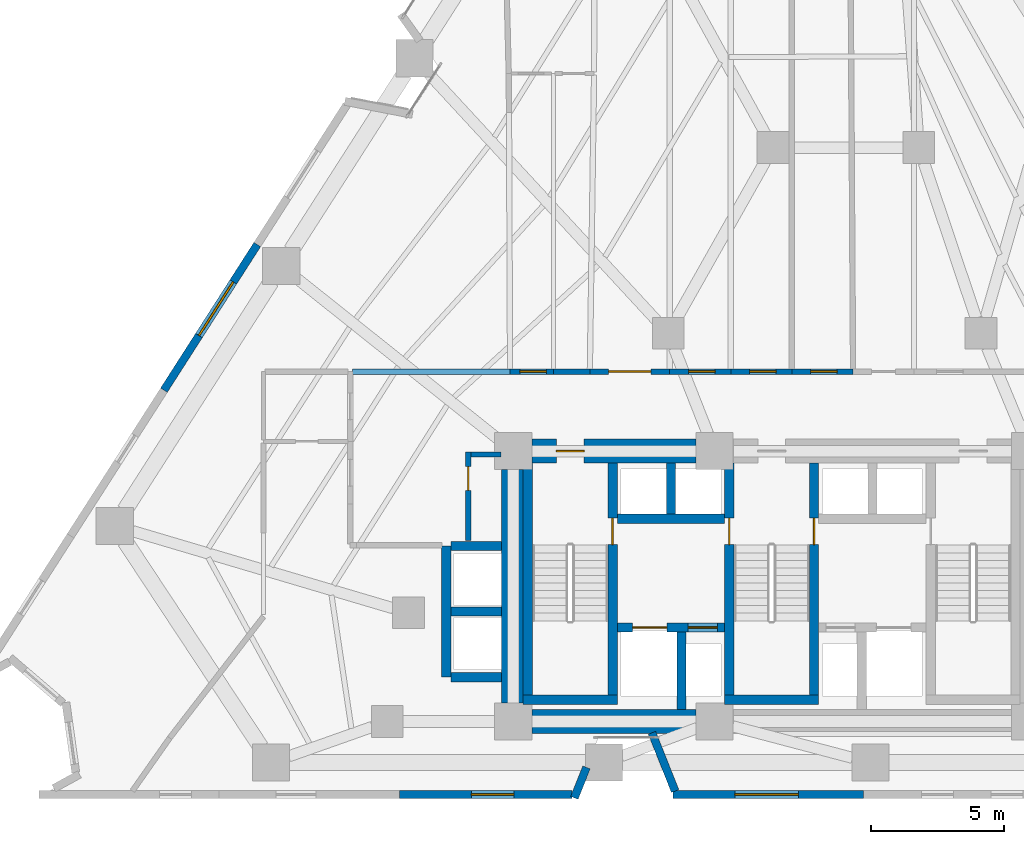
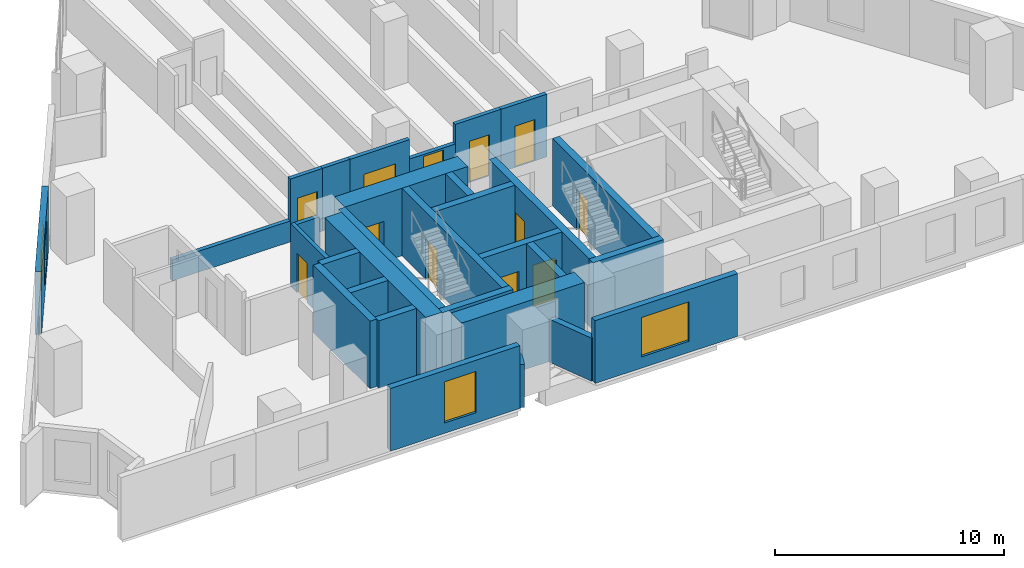
# One storey, part 8 of 13: 31 walls, 12 doors, 3 windows, 15 openings.
"""IFC4 building model written with IfcOpenShell, lengths in metres."""

from ifc_helpers import new_model, si_unit, direction, frame, frame_2d, origin, place, context, subcontext, project, spatial, rectangle, extrude, material, layer, layer_set, type_object, element, fill, save


model = new_model("IFC4")

# Units and contexts
model_context = context("Model", 3, precision=1e-05, world=origin(), true_north=direction((0.0, 1.0)))
body_context = subcontext(model_context, "Body", "Model", "MODEL_VIEW")
ifc_project = project(units=[si_unit("LENGTHUNIT", "METRE"), si_unit("AREAUNIT", "SQUARE_METRE"), si_unit("VOLUMEUNIT", "CUBIC_METRE"), si_unit("PLANEANGLEUNIT", "RADIAN"), si_unit("MASSUNIT", "GRAM", prefix="KILO")], contexts=[model_context])

# Site, building, storey
site_placement = place(None, origin())
site = spatial("IfcSite", under=ifc_project, at=site_placement, CompositionType="ELEMENT")
building_placement = place(site_placement, origin())
building = spatial("IfcBuilding", under=site, at=building_placement, Name="Almagre Mirador Tower", CompositionType="ELEMENT")
storey_placement = place(building_placement, frame((0.0, 0.0, 49.800048828125)))
storey = spatial("IfcBuildingStorey", under=building, at=storey_placement, Name="L11", CompositionType="ELEMENT", Elevation=49.800048828125)

# Wall, opening, window
ifc_material_1 = material(Name="Precast concrete C50/60", Category="concrete")
ifc_layer_1 = layer(ifc_material_1, 0.300048828125)
ifc_layer_set_1 = layer_set([ifc_layer_1], Name="Precast concrete C50/60")
wall_type_1 = type_object("IfcWallType", Name="WAL-EXT-300", PredefinedType="SOLIDWALL", material=ifc_layer_set_1)
wall_1_placement = place(storey_placement, frame((40.760986328125, 1.800048828125, 0.0), z_axis=(0.0, 0.0, 1.0), x_axis=(-1.0, 0.0, 0.0)))
wall_1 = element("IfcWall", 1, at=wall_1_placement, inside=storey, type_object=wall_type_1, Name="L11 expressed almagre precast frame wall 25", PredefinedType="SOLIDWALL", context=body_context, shape_type="SweptSolid", body=[
    extrude(rectangle(XDim=7.19287109375, YDim=0.300048828125, at=frame_2d((3.596435546875, 0.0))), origin(), (0.0, 0.0, 1.0), 3.349853515625),
])
opening_1_placement = place(wall_1_placement, frame((2.449951171875, 0.0, 0.60009765625)))
opening_1 = element("IfcOpeningElement", 2, at=opening_1_placement, cuts=wall_1, Name="Opening WN-02", PredefinedType="OPENING", context=body_context, shape_type="SweptSolid", body=[
    extrude(rectangle(XDim=2.39990234375, YDim=2.10009765625, at=frame_2d((1.199951171875, 1.050048828125))), frame((0.0, 0.159902, 0.0), z_axis=(0.0, -1.0, 0.0), x_axis=(1.0, 0.0, 0.0)), (0.0, 0.0, 1.0), 0.320049),
])
ifc_material_2 = material(Name="Dark solar-control laminated hurricane glass", Category="glass")
window_type_1 = type_object("IfcWindowType", Name="WIN-2400X2100", PartitioningType="TRIPLE_PANEL_VERTICAL", PredefinedType="WINDOW", material=ifc_material_2)
window_1_placement = place(opening_1_placement, origin())
window_1 = element("IfcWindow", 3, at=window_1_placement, inside=storey, type_object=window_type_1, Name="L11 recessed hurricane window L11-UC-ST", OverallHeight=2.10009765625, OverallWidth=2.39990234375, PartitioningType="SINGLE_PANEL", PredefinedType="WINDOW", context=body_context, shape_type="SweptSolid", body=[
    extrude(rectangle(XDim=2.39990234375, YDim=2.10009765625, at=frame_2d((1.199951171875, 1.050048828125))), frame((0.0, 0.030029296875, 0.0), z_axis=(0.0, -1.0, 0.0), x_axis=(1.0, 0.0, 0.0)), (0.0, 0.0, 1.0), 0.06005859375),
])
fill(opening_1, window_1)

# Walls
wall_2_placement = place(storey_placement, frame((33.658203125, 1.92529296875, 0.0), z_axis=(0.0, 0.0, 1.0), x_axis=(-0.36946923074, 0.92924296475, 0.0)))
element("IfcWall", 4, at=wall_2_placement, inside=storey, type_object=wall_type_1, Name="L11 expressed almagre precast frame wall 26", PredefinedType="SOLIDWALL", context=body_context, shape_type="SweptSolid", body=[
    extrude(rectangle(XDim=2.366943359375, YDim=0.300048828125, at=frame_2d((1.18359375, 0.0))), origin(), (0.0, 0.0, 1.0), 2.300048828125),
])
wall_3_placement = place(storey_placement, frame((30.31396484375, 2.82080078125, 0.0), z_axis=(0.0, 0.0, 1.0), x_axis=(-0.369588763291, -0.929195429417, 0.0)))
element("IfcWall", 5, at=wall_3_placement, inside=storey, type_object=wall_type_1, Name="L11 expressed almagre precast frame wall 27", PredefinedType="SOLIDWALL", context=body_context, shape_type="SweptSolid", body=[
    extrude(rectangle(XDim=1.238525390625, YDim=0.300048828125, at=frame_2d((0.619140625, 0.0))), origin(), (0.0, 0.0, 1.0), 2.300048828125),
])

# Wall, opening, window
wall_4_placement = place(storey_placement, frame((29.76806640625, 1.800048828125, 0.0), z_axis=(0.0, 0.0, 1.0), x_axis=(-1.0, 0.0, 0.0)))
wall_4 = element("IfcWall", 6, at=wall_4_placement, inside=storey, type_object=wall_type_1, Name="L11 expressed almagre precast frame wall 28", PredefinedType="SOLIDWALL", context=body_context, shape_type="SweptSolid", body=[
    extrude(rectangle(XDim=6.51611328125, YDim=0.300048828125, at=frame_2d((3.258056640625, 0.0))), origin(), (0.0, 0.0, 1.0), 3.349853515625),
])
opening_2_placement = place(wall_4_placement, frame((2.195068359375, 0.0, 0.550048828125)))
opening_2 = element("IfcOpeningElement", 7, at=opening_2_placement, cuts=wall_4, Name="Opening WN-06", PredefinedType="OPENING", context=body_context, shape_type="SweptSolid", body=[
    extrude(rectangle(XDim=1.60009765625, YDim=2.199951171875, at=frame_2d((0.800048828125, 1.10009765625))), frame((0.0, 0.159902, 0.0), z_axis=(0.0, -1.0, 0.0), x_axis=(1.0, 0.0, 0.0)), (0.0, 0.0, 1.0), 0.320049),
])
ifc_material_3 = material(Name="Dark solar-control laminated hurricane glass", Category="glass")
window_type_2 = type_object("IfcWindowType", Name="WIN-1600X2200", PartitioningType="DOUBLE_PANEL_VERTICAL", PredefinedType="WINDOW", material=ifc_material_3)
window_2_placement = place(opening_2_placement, origin())
window_2 = element("IfcWindow", 8, at=window_2_placement, inside=storey, type_object=window_type_2, Name="L11 recessed hurricane window L11-UB-KT", OverallHeight=2.199951171875, OverallWidth=1.60009765625, PartitioningType="SINGLE_PANEL", PredefinedType="WINDOW", context=body_context, shape_type="SweptSolid", body=[
    extrude(rectangle(XDim=1.60009765625, YDim=2.199951171875, at=frame_2d((0.800048828125, 1.10009765625))), frame((0.0, 0.030029296875, 0.0), z_axis=(0.0, -1.0, 0.0), x_axis=(1.0, 0.0, 0.0)), (0.0, 0.0, 1.0), 0.06005859375),
])
fill(opening_2, window_2)

wall_5_placement = place(storey_placement, frame((14.3720703125, 17.049072265625, 0.0), z_axis=(0.0, 0.0, 1.0), x_axis=(0.539499522652, 0.841985905498, 0.0)))
wall_5 = element("IfcWall", 9, at=wall_5_placement, inside=storey, type_object=wall_type_1, Name="L11 expressed almagre precast frame wall 37", PredefinedType="SOLIDWALL", context=body_context, shape_type="SweptSolid", body=[
    extrude(rectangle(XDim=6.525390625, YDim=0.300048828125, at=frame_2d((3.2626953125, 0.0))), origin(), (0.0, 0.0, 1.0), 3.349853515625),
])
opening_3_placement = place(wall_5_placement, frame((2.449951171875, 0.0, 0.60009765625)))
opening_3 = element("IfcOpeningElement", 10, at=opening_3_placement, cuts=wall_5, Name="Opening WN-02", PredefinedType="OPENING", context=body_context, shape_type="SweptSolid", body=[
    extrude(rectangle(XDim=2.39990234375, YDim=2.10009765625, at=frame_2d((1.199951171875, 1.050048828125))), frame((0.0, 0.159902, 0.0), z_axis=(0.0, -1.0, 0.0), x_axis=(1.0, 0.0, 0.0)), (0.0, 0.0, 1.0), 0.320049),
])
window_3_placement = place(opening_3_placement, origin())
window_3 = element("IfcWindow", 11, at=window_3_placement, inside=storey, type_object=window_type_1, Name="L11 recessed hurricane window L11-RST-H", OverallHeight=2.10009765625, OverallWidth=2.39990234375, PartitioningType="SINGLE_PANEL", PredefinedType="WINDOW", context=body_context, shape_type="SweptSolid", body=[
    extrude(rectangle(XDim=2.39990234375, YDim=2.10009765625, at=frame_2d((1.199951171875, 1.050048828125))), frame((0.0, 0.030029296875, 0.0), z_axis=(0.0, -1.0, 0.0), x_axis=(1.0, 0.0, 0.0)), (0.0, 0.0, 1.0), 0.06005859375),
])
fill(opening_3, window_3)

# Wall, opening, door
ifc_material_4 = material(Name="Gypsum acoustic stud partition", Category="other")
ifc_layer_2 = layer(ifc_material_4, 0.199951171875)
ifc_layer_set_2 = layer_set([ifc_layer_2], Name="Gypsum acoustic stud partition")
wall_type_2 = type_object("IfcWallType", Name="WAL-PRT-200-EI60", PredefinedType="PARTITIONING", material=ifc_layer_set_2)
wall_6_placement = place(storey_placement, frame((25.85009765625, 11.3701171875, 0.0), z_axis=(0.0, 0.0, 1.0), x_axis=(0.0, 1.0, 0.0)))
wall_6 = element("IfcWall", 12, at=wall_6_placement, inside=storey, type_object=wall_type_2, Name="L11 core ancillary west wall", PredefinedType="PARTITIONING", context=body_context, shape_type="SweptSolid", body=[
    extrude(rectangle(XDim=3.33984375, YDim=0.199951171875, at=frame_2d((1.669921875, 0.0))), origin(), (0.0, 0.0, 1.0), 3.349853515625),
])
opening_4_placement = place(wall_6_placement, frame((1.89990234375, 0.0, 0.0)))
opening_4 = element("IfcOpeningElement", 13, at=opening_4_placement, cuts=wall_6, Name="Opening ID-03", PredefinedType="OPENING", context=body_context, shape_type="SweptSolid", body=[
    extrude(rectangle(XDim=0.89990234375, YDim=2.10009765625, at=frame_2d((0.449951171875, 1.050048828125))), frame((0.0, 0.110098, 0.0), z_axis=(0.0, -1.0, 0.0), x_axis=(1.0, 0.0, 0.0)), (0.0, 0.0, 1.0), 0.219951),
])
ifc_material_5 = material(Name="Fire-rated hollow steel", Category="steel")
door_type_1 = type_object("IfcDoorType", Name="DOR-FD60-900X2100", OperationType="NOTDEFINED", PredefinedType="DOOR", material=ifc_material_5)
door_1_placement = place(opening_4_placement, origin())
door_1 = element("IfcDoor", 14, at=door_1_placement, inside=storey, type_object=door_type_1, Name="DR-0345 L11 core ancillary corridor door", OperationType="SINGLE_SWING_LEFT", OverallHeight=2.10009765625, OverallWidth=0.89990234375, PredefinedType="DOOR", context=body_context, shape_type="SweptSolid", body=[
    extrude(rectangle(XDim=0.89990234375, YDim=2.10009765625, at=frame_2d((0.449951171875, 1.050048828125))), frame((0.0, 0.02490234375, 0.0), z_axis=(0.0, -1.0, 0.0), x_axis=(1.0, 0.0, 0.0)), (0.0, 0.0, 1.0), 0.050048828125),
])
fill(opening_4, door_1)

# Walls
wall_7_placement = place(storey_placement, frame((25.955078125, 14.6201171875, 0.0), z_axis=(0.0, 0.0, 1.0), x_axis=(1.0, 0.0, 0.0)))
element("IfcWall", 15, at=wall_7_placement, inside=storey, type_object=wall_type_2, Name="L11 core ancillary north wall", PredefinedType="PARTITIONING", context=body_context, shape_type="SweptSolid", body=[
    extrude(rectangle(XDim=1.1298828125, YDim=0.199951171875, at=frame_2d((0.56494140625, 0.0))), origin(), (0.0, 0.0, 1.0), 3.349853515625),
])
wall_8_placement = place(storey_placement, frame((27.429931640625, 17.75, 0.0), z_axis=(0.0, 0.0, 1.0), x_axis=(-1.0, 0.0, 0.0)))
element("IfcWall", 16, at=wall_8_placement, inside=storey, type_object=wall_type_2, Name="L11 interior partition 008", PredefinedType="PARTITIONING", context=body_context, shape_type="SweptSolid", body=[
    extrude(rectangle(XDim=5.94482421875, YDim=0.199951171875, at=frame_2d((2.972412109375, 0.0))), origin(), (0.0, 0.0, 1.0), 1.119873046875),
])

# Wall, opening, door
wall_9_placement = place(storey_placement, frame((29.06005859375, 17.75, 0.0), z_axis=(0.0, 0.0, 1.0), x_axis=(-1.0, 0.0, 0.0)))
wall_9 = element("IfcWall", 17, at=wall_9_placement, inside=storey, type_object=wall_type_2, Name="L11 interior partition 011", PredefinedType="PARTITIONING", context=body_context, shape_type="SweptSolid", body=[
    extrude(rectangle(XDim=1.630126953125, YDim=0.199951171875, at=frame_2d((0.81494140625, 0.0))), origin(), (0.0, 0.0, 1.0), 3.349853515625),
])
opening_5_placement = place(wall_9_placement, frame((0.256591796875, 0.0, 0.0)))
opening_5 = element("IfcOpeningElement", 18, at=opening_5_placement, cuts=wall_9, Name="Opening ID-01", PredefinedType="OPENING", context=body_context, shape_type="SweptSolid", body=[
    extrude(rectangle(XDim=1.0, YDim=2.199951171875, at=frame_2d((0.5, 1.10009765625))), frame((0.0, 0.110098, 0.0), z_axis=(0.0, -1.0, 0.0), x_axis=(1.0, 0.0, 0.0)), (0.0, 0.0, 1.0), 0.219951),
])
ifc_material_6 = material(Name="Fire-rated walnut timber", Category="wood")
door_type_2 = type_object("IfcDoorType", Name="DOR-FD60-1000X2200", OperationType="NOTDEFINED", PredefinedType="DOOR", material=ifc_material_6)
door_2_placement = place(opening_5_placement, origin())
door_2 = element("IfcDoor", 19, at=door_2_placement, inside=storey, type_object=door_type_2, Name="DR-0358 L11 interior door L11-RCOR to L11-UL-ST", OperationType="SINGLE_SWING_LEFT", OverallHeight=2.199951171875, OverallWidth=1.0, PredefinedType="DOOR", context=body_context, shape_type="SweptSolid", body=[
    extrude(rectangle(XDim=1.0, YDim=2.199951171875, at=frame_2d((0.5, 1.10009765625))), frame((0.0, 0.02490234375, 0.0), z_axis=(0.0, -1.0, 0.0), x_axis=(1.0, 0.0, 0.0)), (0.0, 0.0, 1.0), 0.050048828125),
])
fill(opening_5, door_2)

# Wall
wall_10_placement = place(storey_placement, frame((30.43994140625, 17.75, 0.0), z_axis=(0.0, 0.0, 1.0), x_axis=(-1.0, 0.0, 0.0)))
element("IfcWall", 20, at=wall_10_placement, inside=storey, type_object=wall_type_2, Name="L11 interior partition 012", PredefinedType="PARTITIONING", context=body_context, shape_type="SweptSolid", body=[
    extrude(rectangle(XDim=1.3798828125, YDim=0.199951171875, at=frame_2d((0.68994140625, 0.0))), origin(), (0.0, 0.0, 1.0), 3.349853515625),
])

# Wall, opening, door
wall_11_placement = place(storey_placement, frame((33.449951171875, 17.75, 0.0), z_axis=(0.0, 0.0, 1.0), x_axis=(-1.0, 0.0, 0.0)))
wall_11 = element("IfcWall", 21, at=wall_11_placement, inside=storey, type_object=wall_type_2, Name="L11 interior partition 013", PredefinedType="PARTITIONING", context=body_context, shape_type="SweptSolid", body=[
    extrude(rectangle(XDim=3.010009765625, YDim=0.199951171875, at=frame_2d((1.5048828125, 0.0))), origin(), (0.0, 0.0, 1.0), 3.349853515625),
])
opening_6_placement = place(wall_11_placement, frame((0.705078125, 0.0, 0.0)))
opening_6 = element("IfcOpeningElement", 22, at=opening_6_placement, cuts=wall_11, Name="Opening ID-05", PredefinedType="OPENING", context=body_context, shape_type="SweptSolid", body=[
    extrude(rectangle(XDim=1.60009765625, YDim=2.300048828125, at=frame_2d((0.800048828125, 1.14990234375))), frame((0.0, 0.110098, 0.0), z_axis=(0.0, -1.0, 0.0), x_axis=(1.0, 0.0, 0.0)), (0.0, 0.0, 1.0), 0.219951),
])
ifc_material_7 = material(Name="Fire-rated acoustic timber", Category="wood")
door_type_3 = type_object("IfcDoorType", Name="DOR-FD60-1600X2300", OperationType="DOUBLE_DOOR_SINGLE_SWING", PredefinedType="DOOR", material=ifc_material_7)
door_3_placement = place(opening_6_placement, origin())
door_3 = element("IfcDoor", 23, at=door_3_placement, inside=storey, type_object=door_type_3, Name="DR-0351 L11 interior door L11-RCOR to L11-RST-M", OperationType="DOUBLE_DOOR_SINGLE_SWING", OverallHeight=2.300048828125, OverallWidth=1.60009765625, PredefinedType="DOOR", context=body_context, shape_type="SweptSolid", body=[
    extrude(rectangle(XDim=1.60009765625, YDim=2.300048828125, at=frame_2d((0.800048828125, 1.14990234375))), frame((0.0, 0.02490234375, 0.0), z_axis=(0.0, -1.0, 0.0), x_axis=(1.0, 0.0, 0.0)), (0.0, 0.0, 1.0), 0.050048828125),
])
fill(opening_6, door_3)

wall_12_placement = place(storey_placement, frame((35.760009765625, 17.75, 0.0), z_axis=(0.0, 0.0, 1.0), x_axis=(-1.0, 0.0, 0.0)))
wall_12 = element("IfcWall", 24, at=wall_12_placement, inside=storey, type_object=wall_type_2, Name="L11 interior partition 014", PredefinedType="PARTITIONING", context=body_context, shape_type="SweptSolid", body=[
    extrude(rectangle(XDim=2.31005859375, YDim=0.199951171875, at=frame_2d((1.155029296875, 0.0))), origin(), (0.0, 0.0, 1.0), 2.308837890625),
])
opening_7_placement = place(wall_12_placement, frame((0.597900390625, 0.0, 0.0)))
opening_7 = element("IfcOpeningElement", 25, at=opening_7_placement, cuts=wall_12, Name="Opening ID-01", PredefinedType="OPENING", context=body_context, shape_type="SweptSolid", body=[
    extrude(rectangle(XDim=1.0, YDim=2.199951171875, at=frame_2d((0.5, 1.10009765625))), frame((0.0, 0.110098, 0.0), z_axis=(0.0, -1.0, 0.0), x_axis=(1.0, 0.0, 0.0)), (0.0, 0.0, 1.0), 0.219951),
])
door_4_placement = place(opening_7_placement, origin())
door_4 = element("IfcDoor", 26, at=door_4_placement, inside=storey, type_object=door_type_2, Name="DR-0361 L11 interior door L11-RCOR to L11-UN-ST", OperationType="SINGLE_SWING_RIGHT", OverallHeight=2.199951171875, OverallWidth=1.0, PredefinedType="DOOR", context=body_context, shape_type="SweptSolid", body=[
    extrude(rectangle(XDim=1.0, YDim=2.199951171875, at=frame_2d((0.5, 1.10009765625))), frame((0.0, 0.02490234375, 0.0), z_axis=(0.0, -1.0, 0.0), x_axis=(1.0, 0.0, 0.0)), (0.0, 0.0, 1.0), 0.050048828125),
])
fill(opening_7, door_4)

wall_13_placement = place(storey_placement, frame((38.06005859375, 17.75, 0.0), z_axis=(0.0, 0.0, 1.0), x_axis=(-1.0, 0.0, 0.0)))
wall_13 = element("IfcWall", 27, at=wall_13_placement, inside=storey, type_object=wall_type_2, Name="L11 interior partition 015", PredefinedType="PARTITIONING", context=body_context, shape_type="SweptSolid", body=[
    extrude(rectangle(XDim=2.300048828125, YDim=0.199951171875, at=frame_2d((1.14990234375, 0.0))), origin(), (0.0, 0.0, 1.0), 3.349853515625),
])
opening_8_placement = place(wall_13_placement, frame((0.59326171875, 0.0, 0.0)))
opening_8 = element("IfcOpeningElement", 28, at=opening_8_placement, cuts=wall_13, Name="Opening ID-01", PredefinedType="OPENING", context=body_context, shape_type="SweptSolid", body=[
    extrude(rectangle(XDim=1.0, YDim=2.199951171875, at=frame_2d((0.5, 1.10009765625))), frame((0.0, 0.110098, 0.0), z_axis=(0.0, -1.0, 0.0), x_axis=(1.0, 0.0, 0.0)), (0.0, 0.0, 1.0), 0.219951),
])
door_5_placement = place(opening_8_placement, origin())
door_5 = element("IfcDoor", 29, at=door_5_placement, inside=storey, type_object=door_type_2, Name="DR-0364 L11 interior door L11-RCOR to L11-UP-ST", OperationType="SINGLE_SWING_LEFT", OverallHeight=2.199951171875, OverallWidth=1.0, PredefinedType="DOOR", context=body_context, shape_type="SweptSolid", body=[
    extrude(rectangle(XDim=1.0, YDim=2.199951171875, at=frame_2d((0.5, 1.10009765625))), frame((0.0, 0.02490234375, 0.0), z_axis=(0.0, -1.0, 0.0), x_axis=(1.0, 0.0, 0.0)), (0.0, 0.0, 1.0), 0.050048828125),
])
fill(opening_8, door_5)

wall_14_placement = place(storey_placement, frame((40.3701171875, 17.75, 0.0), z_axis=(0.0, 0.0, 1.0), x_axis=(-1.0, 0.0, 0.0)))
wall_14 = element("IfcWall", 30, at=wall_14_placement, inside=storey, type_object=wall_type_2, Name="L11 interior partition 016", PredefinedType="PARTITIONING", context=body_context, shape_type="SweptSolid", body=[
    extrude(rectangle(XDim=2.31005859375, YDim=0.199951171875, at=frame_2d((1.155029296875, 0.0))), origin(), (0.0, 0.0, 1.0), 3.349853515625),
])
opening_9_placement = place(wall_14_placement, frame((0.597900390625, 0.0, 0.0)))
opening_9 = element("IfcOpeningElement", 31, at=opening_9_placement, cuts=wall_14, Name="Opening ID-01", PredefinedType="OPENING", context=body_context, shape_type="SweptSolid", body=[
    extrude(rectangle(XDim=1.0, YDim=2.199951171875, at=frame_2d((0.5, 1.10009765625))), frame((0.0, 0.110098, 0.0), z_axis=(0.0, -1.0, 0.0), x_axis=(1.0, 0.0, 0.0)), (0.0, 0.0, 1.0), 0.219951),
])
door_6_placement = place(opening_9_placement, origin())
door_6 = element("IfcDoor", 32, at=door_6_placement, inside=storey, type_object=door_type_2, Name="DR-0352 L11 interior door L11-RCOR to L11-UA-ST-2", OperationType="SINGLE_SWING_RIGHT", OverallHeight=2.199951171875, OverallWidth=1.0, PredefinedType="DOOR", context=body_context, shape_type="SweptSolid", body=[
    extrude(rectangle(XDim=1.0, YDim=2.199951171875, at=frame_2d((0.5, 1.10009765625))), frame((0.0, 0.02490234375, 0.0), z_axis=(0.0, -1.0, 0.0), x_axis=(1.0, 0.0, 0.0)), (0.0, 0.0, 1.0), 0.050048828125),
])
fill(opening_9, door_6)

# Wall
ifc_material_8 = material(Name="Concrete C60/75", Category="concrete")
ifc_layer_3 = layer(ifc_material_8, 0.35009765625)
ifc_layer_set_3 = layer_set([ifc_layer_3], Name="Concrete C60/75")
wall_type_3 = type_object("IfcWallType", Name="WAL-SHF-350", PredefinedType="SOLIDWALL", material=ifc_layer_set_3)
wall_15_placement = place(storey_placement, frame((28.10009765625, 5.199951171875, 0.0), z_axis=(0.0, 0.0, 1.0), x_axis=(0.0, 1.0, 0.0)))
element("IfcWall", 33, at=wall_15_placement, inside=storey, type_object=wall_type_3, Name="L11 shaft wall ST1-W", PredefinedType="SOLIDWALL", context=body_context, shape_type="SweptSolid", body=[
    extrude(rectangle(XDim=9.10009765625, YDim=0.35009765625, at=frame_2d((4.550048828125, 0.0))), origin(), (0.0, 0.0, 1.0), 3.599853515625),
])

# Wall, opening, door
wall_16_placement = place(storey_placement, frame((31.300048828125, 5.199951171875, 0.0), z_axis=(0.0, 0.0, 1.0), x_axis=(0.0, 1.0, 0.0)))
wall_16 = element("IfcWall", 34, at=wall_16_placement, inside=storey, type_object=wall_type_3, Name="L11 shaft wall ST1-E", PredefinedType="SOLIDWALL", context=body_context, shape_type="SweptSolid", body=[
    extrude(rectangle(XDim=9.10009765625, YDim=0.35009765625, at=frame_2d((4.550048828125, 0.0))), origin(), (0.0, 0.0, 1.0), 3.599853515625),
])
opening_10_placement = place(wall_16_placement, frame((6.02001953125, 0.0, 0.0)))
opening_10 = element("IfcOpeningElement", 35, at=opening_10_placement, cuts=wall_16, Name="Opening FD-01", PredefinedType="OPENING", context=body_context, shape_type="SweptSolid", body=[
    extrude(rectangle(XDim=1.0, YDim=2.14990234375, at=frame_2d((0.5, 1.074951171875))), frame((0.0, 0.185049, 0.0), z_axis=(0.0, -1.0, 0.0), x_axis=(1.0, 0.0, 0.0)), (0.0, 0.0, 1.0), 0.370098),
])
ifc_material_9 = material(Name="Fire-rated hollow steel", Category="steel")
door_type_4 = type_object("IfcDoorType", Name="DOR-FFL-1000X2150", OperationType="NOTDEFINED", PredefinedType="DOOR", material=ifc_material_9)
door_7_placement = place(opening_10_placement, origin())
door_7 = element("IfcDoor", 36, at=door_7_placement, inside=storey, type_object=door_type_4, Name="DR-0346 L11 FFL1-ST1 smokeproof door", OperationType="SINGLE_SWING_LEFT", OverallHeight=2.14990234375, OverallWidth=1.0, PredefinedType="DOOR", context=body_context, shape_type="SweptSolid", body=[
    extrude(rectangle(XDim=1.0, YDim=2.14990234375, at=frame_2d((0.5, 1.074951171875))), frame((0.0, 0.02490234375, 0.0), z_axis=(0.0, -1.0, 0.0), x_axis=(1.0, 0.0, 0.0)), (0.0, 0.0, 1.0), 0.050048828125),
])
fill(opening_10, door_7)

# Wall
wall_17_placement = place(storey_placement, frame((27.925048828125, 5.375, 0.0), z_axis=(0.0, 0.0, 1.0), x_axis=(1.0, 0.0, 0.0)))
element("IfcWall", 37, at=wall_17_placement, inside=storey, type_object=wall_type_3, Name="L11 shaft wall ST1-S", PredefinedType="SOLIDWALL", context=body_context, shape_type="SweptSolid", body=[
    extrude(rectangle(XDim=3.550048828125, YDim=0.35009765625, at=frame_2d((1.77490234375, 0.0))), origin(), (0.0, 0.0, 1.0), 3.599853515625),
])

# Wall, opening, door
wall_18_placement = place(storey_placement, frame((35.699951171875, 5.199951171875, 0.0), z_axis=(0.0, 0.0, 1.0), x_axis=(0.0, 1.0, 0.0)))
wall_18 = element("IfcWall", 38, at=wall_18_placement, inside=storey, type_object=wall_type_3, Name="L11 shaft wall ST2-W", PredefinedType="SOLIDWALL", context=body_context, shape_type="SweptSolid", body=[
    extrude(rectangle(XDim=9.10009765625, YDim=0.35009765625, at=frame_2d((4.550048828125, 0.0))), origin(), (0.0, 0.0, 1.0), 3.599853515625),
])
opening_11_placement = place(wall_18_placement, frame((6.02001953125, 0.0, 0.0)))
opening_11 = element("IfcOpeningElement", 39, at=opening_11_placement, cuts=wall_18, Name="Opening FD-01", PredefinedType="OPENING", context=body_context, shape_type="SweptSolid", body=[
    extrude(rectangle(XDim=1.0, YDim=2.14990234375, at=frame_2d((0.5, 1.074951171875))), frame((0.0, 0.185049, 0.0), z_axis=(0.0, -1.0, 0.0), x_axis=(1.0, 0.0, 0.0)), (0.0, 0.0, 1.0), 0.370098),
])
door_8_placement = place(opening_11_placement, origin())
door_8 = element("IfcDoor", 40, at=door_8_placement, inside=storey, type_object=door_type_4, Name="DR-0347 L11 FFL1-ST2 smokeproof door", OperationType="SINGLE_SWING_RIGHT", OverallHeight=2.14990234375, OverallWidth=1.0, PredefinedType="DOOR", context=body_context, shape_type="SweptSolid", body=[
    extrude(rectangle(XDim=1.0, YDim=2.14990234375, at=frame_2d((0.5, 1.074951171875))), frame((0.0, 0.02490234375, 0.0), z_axis=(0.0, -1.0, 0.0), x_axis=(1.0, 0.0, 0.0)), (0.0, 0.0, 1.0), 0.050048828125),
])
fill(opening_11, door_8)

wall_19_placement = place(storey_placement, frame((38.89990234375, 5.199951171875, 0.0), z_axis=(0.0, 0.0, 1.0), x_axis=(0.0, 1.0, 0.0)))
wall_19 = element("IfcWall", 41, at=wall_19_placement, inside=storey, type_object=wall_type_3, Name="L11 shaft wall ST2-E", PredefinedType="SOLIDWALL", context=body_context, shape_type="SweptSolid", body=[
    extrude(rectangle(XDim=9.10009765625, YDim=0.35009765625, at=frame_2d((4.550048828125, 0.0))), origin(), (0.0, 0.0, 1.0), 3.599853515625),
])
opening_12_placement = place(wall_19_placement, frame((6.02001953125, 0.0, 0.0)))
opening_12 = element("IfcOpeningElement", 42, at=opening_12_placement, cuts=wall_19, Name="Opening FD-01", PredefinedType="OPENING", context=body_context, shape_type="SweptSolid", body=[
    extrude(rectangle(XDim=1.0, YDim=2.14990234375, at=frame_2d((0.5, 1.074951171875))), frame((0.0, 0.185049, 0.0), z_axis=(0.0, -1.0, 0.0), x_axis=(1.0, 0.0, 0.0)), (0.0, 0.0, 1.0), 0.370098),
])
door_9_placement = place(opening_12_placement, origin())
door_9 = element("IfcDoor", 43, at=door_9_placement, inside=storey, type_object=door_type_4, Name="DR-0348 L11 FFL2-ST2 smokeproof door", OperationType="SINGLE_SWING_LEFT", OverallHeight=2.14990234375, OverallWidth=1.0, PredefinedType="DOOR", context=body_context, shape_type="SweptSolid", body=[
    extrude(rectangle(XDim=1.0, YDim=2.14990234375, at=frame_2d((0.5, 1.074951171875))), frame((0.0, 0.02490234375, 0.0), z_axis=(0.0, -1.0, 0.0), x_axis=(1.0, 0.0, 0.0)), (0.0, 0.0, 1.0), 0.050048828125),
])
fill(opening_12, door_9)

# Wall
wall_20_placement = place(storey_placement, frame((35.52490234375, 5.375, 0.0), z_axis=(0.0, 0.0, 1.0), x_axis=(1.0, 0.0, 0.0)))
element("IfcWall", 44, at=wall_20_placement, inside=storey, type_object=wall_type_3, Name="L11 shaft wall ST2-S", PredefinedType="SOLIDWALL", context=body_context, shape_type="SweptSolid", body=[
    extrude(rectangle(XDim=3.550048828125, YDim=0.35009765625, at=frame_2d((1.77490234375, 0.0))), origin(), (0.0, 0.0, 1.0), 3.599853515625),
])

# Wall, openings, doors
wall_21_placement = place(storey_placement, frame((31.47509765625, 8.10009765625, 0.0), z_axis=(0.0, 0.0, 1.0), x_axis=(1.0, 0.0, 0.0)))
wall_21 = element("IfcWall", 45, at=wall_21_placement, inside=storey, type_object=wall_type_3, Name="L11 shaft wall FSAE1-N", PredefinedType="SOLIDWALL", context=body_context, shape_type="SweptSolid", body=[
    extrude(rectangle(XDim=4.0498046875, YDim=0.35009765625, at=frame_2d((2.02490234375, 0.0))), origin(), (0.0, 0.0, 1.0), 3.599853515625),
])
opening_13_placement = place(wall_21_placement, frame((0.574951171875, 0.0, 0.0)))
opening_13 = element("IfcOpeningElement", 46, at=opening_13_placement, cuts=wall_21, Name="Opening LD-03", PredefinedType="OPENING", context=body_context, shape_type="SweptSolid", body=[
    extrude(rectangle(XDim=1.300048828125, YDim=2.25, at=frame_2d((0.64990234375, 1.125))), frame((0.0, 0.185049, 0.0), z_axis=(0.0, -1.0, 0.0), x_axis=(1.0, 0.0, 0.0)), (0.0, 0.0, 1.0), 0.370098),
])
opening_14_placement = place(wall_21_placement, frame((2.675048828125, 0.0, 0.0)))
opening_14 = element("IfcOpeningElement", 47, at=opening_14_placement, cuts=wall_21, Name="Opening LD-01", PredefinedType="OPENING", context=body_context, shape_type="SweptSolid", body=[
    extrude(rectangle(XDim=1.10009765625, YDim=2.199951171875, at=frame_2d((0.550048828125, 1.10009765625))), frame((0.0, 0.185049, 0.0), z_axis=(0.0, -1.0, 0.0), x_axis=(1.0, 0.0, 0.0)), (0.0, 0.0, 1.0), 0.370098),
])
ifc_material_10 = material(Name="Hollow stainless steel", Category="steel")
door_type_5 = type_object("IfcDoorType", Name="DOR-LD-1100X2200", OperationType="DOUBLE_DOOR_SLIDING", PredefinedType="DOOR", material=ifc_material_10)
door_10_placement = place(opening_14_placement, origin())
door_10 = element("IfcDoor", 48, at=door_10_placement, inside=storey, type_object=door_type_5, Name="DR-0370 L11 PL-L1 lift landing door", OperationType="DOUBLE_DOOR_SLIDING", OverallHeight=2.199951171875, OverallWidth=1.10009765625, PredefinedType="DOOR", context=body_context, shape_type="SweptSolid", body=[
    extrude(rectangle(XDim=1.10009765625, YDim=2.199951171875, at=frame_2d((0.550048828125, 1.10009765625))), frame((0.0, 0.02490234375, 0.0), z_axis=(0.0, -1.0, 0.0), x_axis=(1.0, 0.0, 0.0)), (0.0, 0.0, 1.0), 0.050048828125),
])
fill(opening_14, door_10)
ifc_material_11 = material(Name="Hollow stainless steel", Category="steel")
door_type_6 = type_object("IfcDoorType", Name="DOR-LD-1300X2250", OperationType="DOUBLE_DOOR_SLIDING", PredefinedType="DOOR", material=ifc_material_11)
door_11_placement = place(opening_13_placement, origin())
door_11 = element("IfcDoor", 49, at=door_11_placement, inside=storey, type_object=door_type_6, Name="DR-0368 L11 FSAE-1 lift landing door", OperationType="DOUBLE_DOOR_SLIDING", OverallHeight=2.25, OverallWidth=1.300048828125, PredefinedType="DOOR", context=body_context, shape_type="SweptSolid", body=[
    extrude(rectangle(XDim=1.300048828125, YDim=2.25, at=frame_2d((0.64990234375, 1.125))), frame((0.0, 0.02490234375, 0.0), z_axis=(0.0, -1.0, 0.0), x_axis=(1.0, 0.0, 0.0)), (0.0, 0.0, 1.0), 0.050048828125),
])
fill(opening_13, door_11)

# Walls
wall_22_placement = place(storey_placement, frame((33.89990234375, 5.0, 0.0), z_axis=(0.0, 0.0, 1.0), x_axis=(0.0, 1.0, 0.0)))
element("IfcWall", 50, at=wall_22_placement, inside=storey, type_object=wall_type_3, Name="L11 shaft wall FSAE1-E", PredefinedType="SOLIDWALL", context=body_context, shape_type="SweptSolid", body=[
    extrude(rectangle(XDim=2.925048828125, YDim=0.35009765625, at=frame_2d((1.46240234375, 0.0))), origin(), (0.0, 0.0, 1.0), 3.599853515625),
])
wall_23_placement = place(storey_placement, frame((31.47509765625, 12.199951171875, 0.0), z_axis=(0.0, 0.0, 1.0), x_axis=(1.0, 0.0, 0.0)))
element("IfcWall", 51, at=wall_23_placement, inside=storey, type_object=wall_type_3, Name="L11 shaft wall PLM-S", PredefinedType="SOLIDWALL", context=body_context, shape_type="SweptSolid", body=[
    extrude(rectangle(XDim=4.0498046875, YDim=0.35009765625, at=frame_2d((2.02490234375, 0.0))), origin(), (0.0, 0.0, 1.0), 3.599853515625),
])
wall_24_placement = place(storey_placement, frame((33.5, 12.375, 0.0), z_axis=(0.0, 0.0, 1.0), x_axis=(0.0, 1.0, 0.0)))
element("IfcWall", 52, at=wall_24_placement, inside=storey, type_object=wall_type_3, Name="L11 shaft wall PLM-M", PredefinedType="SOLIDWALL", context=body_context, shape_type="SweptSolid", body=[
    extrude(rectangle(XDim=1.925048828125, YDim=0.35009765625, at=frame_2d((0.96240234375, 0.0))), origin(), (0.0, 0.0, 1.0), 3.599853515625),
])
wall_25_placement = place(storey_placement, frame((25.02490234375, 6.22509765625, 0.0), z_axis=(0.0, 0.0, 1.0), x_axis=(0.0, 1.0, 0.0)))
element("IfcWall", 53, at=wall_25_placement, inside=storey, type_object=wall_type_3, Name="L11 shaft wall OL-W", PredefinedType="SOLIDWALL", context=body_context, shape_type="SweptSolid", body=[
    extrude(rectangle(XDim=4.949951171875, YDim=0.35009765625, at=frame_2d((2.47509765625, 0.0))), origin(), (0.0, 0.0, 1.0), 3.599853515625),
])
for number, where, z_axis, x_axis, name in (
    (54, (25.199951171875, 6.22509765625, 0.0), (0.0, 0.0, 1.0), (1.0, 0.0, 0.0), "L11 shaft wall OL-S"),
    (55, (25.199951171875, 8.699951171875, 0.0), (0.0, 0.0, 1.0), (1.0, 0.0, 0.0), "L11 shaft wall OL-M"),
    (56, (25.199951171875, 11.175048828125, 0.0), (0.0, 0.0, 1.0), (1.0, 0.0, 0.0), "L11 shaft wall OL-N"),
):
    element("IfcWall", number, at=place(storey_placement, frame(where, z_axis=z_axis, x_axis=x_axis)), inside=storey, type_object=wall_type_3, Name=name, PredefinedType="SOLIDWALL", context=body_context, shape_type="SweptSolid", body=[
        extrude(rectangle(XDim=1.900146484375, YDim=0.35009765625, at=frame_2d((0.9501953125, 0.0))), origin(), (0.0, 0.0, 1.0), 3.599853515625),
    ])
ifc_material_12 = material(Name="Concrete C70/85", Category="concrete")
ifc_layer_4 = layer(ifc_material_12, 0.89990234375)
ifc_layer_set_4 = layer_set([ifc_layer_4], Name="Concrete C70/85")
wall_type_4 = type_object("IfcWallType", Name="WAL-SHR-900", PredefinedType="SHEAR", material=ifc_layer_set_4)
wall_26_placement = place(storey_placement, frame((28.25, 4.550048828125, 0.0), z_axis=(0.0, 0.0, 1.0), x_axis=(1.0, 0.0, 0.0)))
element("IfcWall", 57, at=wall_26_placement, inside=storey, type_object=wall_type_4, Name="L11 core shear wall S1", PredefinedType="SHEAR", context=body_context, shape_type="SweptSolid", body=[
    extrude(rectangle(XDim=6.199951171875, YDim=0.89990234375, at=frame_2d((3.10009765625, 0.0))), origin(), (0.0, 0.0, 1.0), 3.599853515625),
])

# Wall, opening, door
wall_27_placement = place(storey_placement, frame((28.25, 14.75, 0.0), z_axis=(0.0, 0.0, 1.0), x_axis=(1.0, 0.0, 0.0)))
wall_27 = element("IfcWall", 58, at=wall_27_placement, inside=storey, type_object=wall_type_4, Name="L11 core shear wall N1", PredefinedType="SHEAR", context=body_context, shape_type="SweptSolid", body=[
    extrude(rectangle(XDim=6.199951171875, YDim=0.89990234375, at=frame_2d((3.10009765625, 0.0))), origin(), (0.0, 0.0, 1.0), 3.599853515625),
])
opening_15_placement = place(wall_27_placement, frame((0.925048828125, 0.0, 0.0)))
opening_15 = element("IfcOpeningElement", 59, at=opening_15_placement, cuts=wall_27, Name="Opening SD-01", PredefinedType="OPENING", context=body_context, shape_type="SweptSolid", body=[
    extrude(rectangle(XDim=1.050048828125, YDim=2.14990234375, at=frame_2d((0.52490234375, 1.074951171875))), frame((0.0, 0.459951, 0.0), z_axis=(0.0, -1.0, 0.0), x_axis=(1.0, 0.0, 0.0)), (0.0, 0.0, 1.0), 0.919902),
])
ifc_material_13 = material(Name="Fire-rated hollow steel", Category="steel")
door_type_7 = type_object("IfcDoorType", Name="DOR-ST-1050X2150", OperationType="NOTDEFINED", PredefinedType="DOOR", material=ifc_material_13)
door_12_placement = place(opening_15_placement, origin())
door_12 = element("IfcDoor", 60, at=door_12_placement, inside=storey, type_object=door_type_7, Name="DR-0372 L11 protected exit stair ST-1 door", OperationType="SINGLE_SWING_RIGHT", OverallHeight=2.14990234375, OverallWidth=1.050048828125, PredefinedType="DOOR", context=body_context, shape_type="SweptSolid", body=[
    extrude(rectangle(XDim=1.050048828125, YDim=2.14990234375, at=frame_2d((0.52490234375, 1.074951171875))), frame((0.0, 0.02490234375, 0.0), z_axis=(0.0, -1.0, 0.0), x_axis=(1.0, 0.0, 0.0)), (0.0, 0.0, 1.0), 0.050048828125),
])
fill(opening_15, door_12)

# Wall
wall_28_placement = place(storey_placement, frame((27.550048828125, 5.25, 0.0), z_axis=(0.0, 0.0, 1.0), x_axis=(0.0, 1.0, 0.0)))
element("IfcWall", 61, at=wall_28_placement, inside=storey, type_object=wall_type_4, Name="L11 core shear wall W1", PredefinedType="SHEAR", context=body_context, shape_type="SweptSolid", body=[
    extrude(rectangle(XDim=8.800048828125, YDim=0.89990234375, at=frame_2d((4.39990234375, 0.0))), origin(), (0.0, 0.0, 1.0), 3.599853515625),
])

save(model, "model.ifc")
